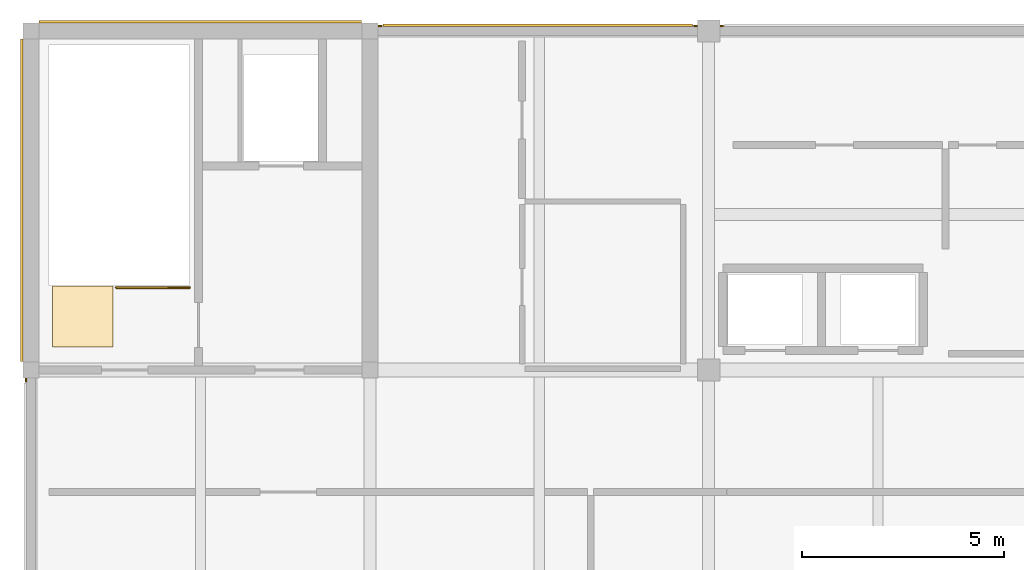
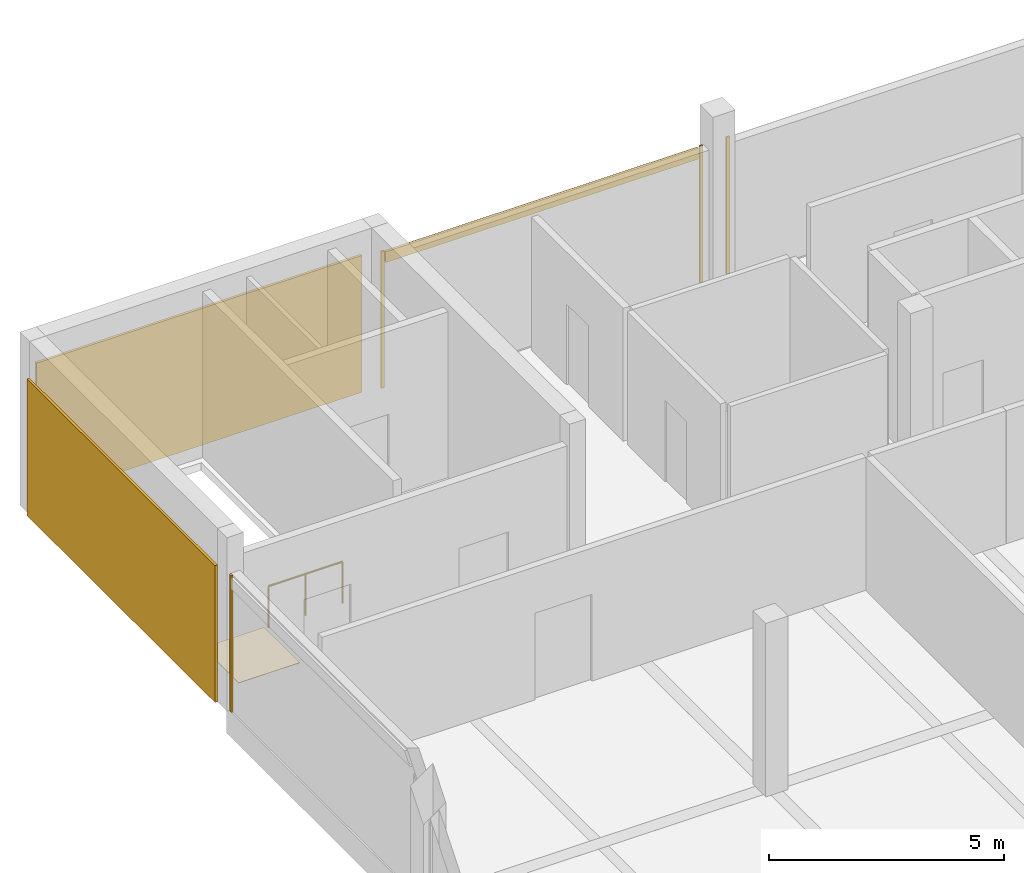
# One storey, part 8 of 11: 8 coverings, 1 railing.
"""IFC4 building model written with IfcOpenShell, lengths in metres."""

from ifc_helpers import new_model, si_unit, direction, frame, origin, origin_2d, place, context, subcontext, project, spatial, polyline, rectangle, circle, outline, extrude, material, layer, layer_set, type_object, element, save


model = new_model("IFC4")

# Units and contexts
model_context = context("Model", 3, precision=1e-05, world=origin(), true_north=direction((0.0, 1.0)))
body_context = subcontext(model_context, "Body", "Model", "MODEL_VIEW")
ifc_project = project(units=[si_unit("LENGTHUNIT", "METRE"), si_unit("AREAUNIT", "SQUARE_METRE"), si_unit("VOLUMEUNIT", "CUBIC_METRE"), si_unit("PLANEANGLEUNIT", "RADIAN"), si_unit("MASSUNIT", "GRAM", prefix="KILO")], contexts=[model_context])

# Site, building, storey
site_placement = place(None, origin())
site = spatial("IfcSite", under=ifc_project, at=site_placement, CompositionType="ELEMENT")
building_placement = place(site_placement, origin())
building = spatial("IfcBuilding", under=site, at=building_placement, Name="Telukmera Botanical Conservatory", CompositionType="ELEMENT")
storey_placement = place(building_placement, frame((0.0, 0.0, 73.5)))
storey = spatial("IfcBuildingStorey", under=building, at=storey_placement, Name="L16", CompositionType="ELEMENT", Elevation=73.5)

# Coverings
ifc_material_1 = material(Name="Honed granite non-slip flooring", Category="masonry")
ifc_layer_1 = layer(ifc_material_1, 0.011962890625)
ifc_layer_set_1 = layer_set([ifc_layer_1], Name="Honed granite non-slip flooring")
covering_type_1 = type_object("IfcCoveringType", Name="COV-FLR-12", PredefinedType="FLOORING", material=ifc_layer_set_1)
covering_1_placement = place(storey_placement, origin())
element("IfcCovering", 1, at=covering_1_placement, inside=storey, type_object=covering_type_1, Name="L16 ST1 Non-Slip Stair Landing Finish", PredefinedType="FLOORING", context=body_context, shape_type="SweptSolid", body=[
    extrude(outline(polyline([(60.830078125, 26.570068359375), (60.830078125, 28.0849609375), (59.330078125, 28.0849609375), (59.330078125, 26.570068359375), (60.830078125, 26.570068359375)])), origin(), (0.0, 0.0, 1.0), 0.011962890625),
])
ifc_material_2 = material(Name="Granite-faced precast concrete C40/50", Category="masonry")
ifc_layer_2 = layer(ifc_material_2, 0.0400390625)
ifc_layer_set_2 = layer_set([ifc_layer_2], Name="Granite-faced precast concrete C40/50")
covering_type_2 = type_object("IfcCoveringType", Name="Granite Precast Column Pier Reveal Casing", PredefinedType="CLADDING", material=ifc_layer_set_2)
for number, where, z_axis, x_axis, name in (
    (2, (67.451904296875, 34.530029296875, 0.0), (0.0, 0.0, 1.0), (1.0, 0.0, 0.0), "Granite Pier Reveal V4:L16:N2 L"),
    (3, (75.27294921875, 34.530029296875, 0.0), (0.0, 0.0, 1.0), (1.0, 0.0, 0.0), "Granite Pier Reveal V4:L16:N2 R"),
    (4, (75.927001953125, 34.530029296875, 0.0), (0.0, 0.0, 1.0), (1.0, 0.0, 0.0), "Granite Pier Reveal V4:L16:N3 L"),
    (5, (58.669921875, 25.748046875, 0.0), (0.0, 0.0, 1.0), (0.0, 1.0, 0.0), "Granite Pier Reveal V4:L16:W2 R"),
):
    element("IfcCovering", number, at=place(storey_placement, frame(where, z_axis=z_axis, x_axis=x_axis)), inside=storey, type_object=covering_type_2, Name=name, PredefinedType="CLADDING", context=body_context, shape_type="SweptSolid", body=[
        extrude(rectangle(XDim=0.080078125, YDim=0.0400390625, at=origin_2d()), origin(), (0.0, 0.0, 1.0), 3.550048828125),
    ])
ifc_material_3 = material(Name="Terracotta-faced precast concrete C40/50", Category="masonry")
ifc_layer_3 = layer(ifc_material_3, 0.06005859375)
ifc_layer_set_3 = layer_set([ifc_layer_3], Name="Terracotta-faced precast concrete C40/50")
covering_type_3 = type_object("IfcCoveringType", Name="Polychrome Terracotta Facade Band Cladding", PredefinedType="CLADDING", material=ifc_layer_set_3)
covering_2_placement = place(storey_placement, frame((71.362548828125, 34.5400390625, 3.22998046875), z_axis=(0.0, 0.0, 1.0), x_axis=(1.0, 0.0, 0.0)))
element("IfcCovering", 6, at=covering_2_placement, inside=storey, type_object=covering_type_3, Name="Polychrome Terracotta Band V4:L16:N2", PredefinedType="CLADDING", context=body_context, shape_type="SweptSolid", body=[
    extrude(rectangle(XDim=7.680908203125, YDim=0.06005859375, at=origin_2d()), origin(), (0.0, 0.0, 1.0), 0.280029296875),
])

# Railing
ifc_material_4 = material(Name="Steel S355", Category="steel")
railing_type = type_object("IfcRailingType", Name="RL-GUARD-1100", PredefinedType="GUARDRAIL", material=ifc_material_4)
railing_placement = place(storey_placement, frame((62.72998046875, 28.0400390625, 0.0)))
element("IfcRailing", 7, at=railing_placement, inside=storey, type_object=railing_type, Name="L16 ST1 top well guard 1", PredefinedType="GUARDRAIL", context=body_context, shape_type="SweptSolid", body=[
    extrude(circle(Radius=0.02392578125, at=origin_2d()), frame((0.0, 0.0, 1.076171875), z_axis=(-1.0, 0.0, 0.0), x_axis=(0.0, -1.0, 0.0)), (0.0, 0.0, 1.0), 1.820068359375),
    extrude(circle(Radius=0.02099609375, at=origin_2d()), origin(), (0.0, 0.0, 1.0), 1.052001953125),
    extrude(circle(Radius=0.02099609375, at=origin_2d()), frame((-0.91015625, 0.0, 0.0)), (0.0, 0.0, 1.0), 1.052001953125),
    extrude(circle(Radius=0.02099609375, at=origin_2d()), frame((-1.820068359375, 0.0, 0.0)), (0.0, 0.0, 1.0), 1.052001953125),
])

# Coverings
ifc_layer_4 = layer(ifc_material_3, 0.06005859375)
ifc_layer_set_4 = layer_set([ifc_layer_4], Name="Terracotta-faced precast concrete C40/50")
covering_type_4 = type_object("IfcCoveringType", Name="Terracotta Core Perimeter Cladding Panel", PredefinedType="CLADDING", material=ifc_layer_set_4)
for number, where, z_axis, x_axis, name in (
    (8, (63.0, 34.6298828125, 0.0), (0.0, 0.0, 1.0), (1.0, 0.0, 0.0), "Core Perimeter Terracotta Cladding V4:L16:N1"),
    (9, (58.570068359375, 30.199951171875, 0.0), (0.0, 0.0, 1.0), (0.0, 1.0, 0.0), "Core Perimeter Terracotta Cladding V4:L16:W3"),
):
    element("IfcCovering", number, at=place(storey_placement, frame(where, z_axis=z_axis, x_axis=x_axis)), inside=storey, type_object=covering_type_4, Name=name, PredefinedType="CLADDING", context=body_context, shape_type="SweptSolid", body=[
        extrude(rectangle(XDim=7.99609375, YDim=0.06005859375, at=origin_2d()), origin(), (0.0, 0.0, 1.0), 3.550048828125),
    ])

save(model, "model.ifc")
